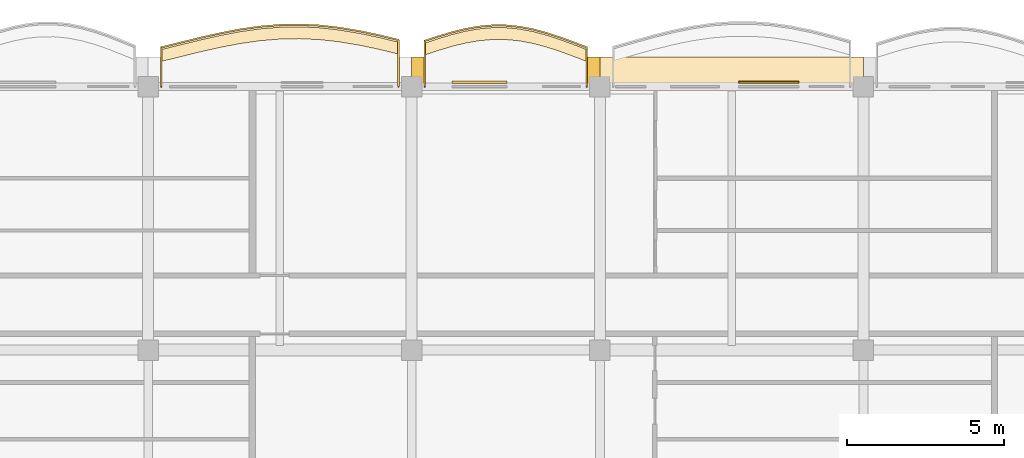
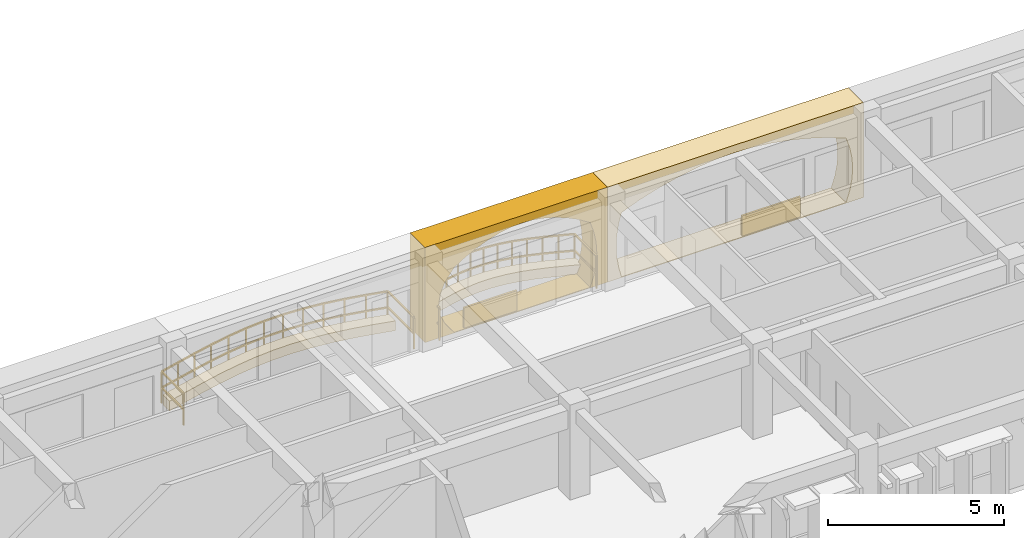
# One storey, part 87 of 101: 6 coverings, 2 railings.
"""IFC4 building model written with IfcOpenShell, lengths in metres."""

from ifc_helpers import new_model, si_unit, direction, frame, origin, origin_2d, place, context, subcontext, project, spatial, polyline, rectangle, outline, extrude, material, layer, layer_set, type_object, element, save


model = new_model("IFC4")

# Units and contexts
model_context = context("Model", 3, precision=1e-05, world=origin(), true_north=direction((0.0, 1.0)))
body_context = subcontext(model_context, "Body", "Model", "MODEL_VIEW")
ifc_project = project(units=[si_unit("LENGTHUNIT", "METRE"), si_unit("AREAUNIT", "SQUARE_METRE"), si_unit("VOLUMEUNIT", "CUBIC_METRE"), si_unit("PLANEANGLEUNIT", "RADIAN"), si_unit("MASSUNIT", "GRAM", prefix="KILO"), si_unit("THERMODYNAMICTEMPERATUREUNIT", "KELVIN")], contexts=[model_context])

# Site, building, storey
site_placement = place(None, origin())
site = spatial("IfcSite", under=ifc_project, at=site_placement, CompositionType="ELEMENT")
building_placement = place(site_placement, origin())
building = spatial("IfcBuilding", under=site, at=building_placement, Name="Thalorik Housing Commons", CompositionType="ELEMENT")
storey_placement = place(building_placement, frame((0.0, 0.0, 8.10009765625)))
storey = spatial("IfcBuildingStorey", under=building, at=storey_placement, Name="L02", CompositionType="ELEMENT", Elevation=8.10009765625)

# Coverings
ifc_material_1 = material(Name="Cobalt blue glazed ceramic facade tile panel", Category="masonry")
ifc_layer_1 = layer(ifc_material_1, 0.06005859375, Name="Cobalt blue glazed ceramic facade tile panel", Category="masonry")
ifc_layer_set_1 = layer_set([ifc_layer_1], Name="Cobalt blue glazed ceramic facade tile panel")
covering_type_1 = type_object("IfcCoveringType", Name="ARC-CLD-BLU-60", PredefinedType="CLADDING", material=ifc_layer_set_1)
covering_1_placement = place(storey_placement, frame((120.581787109375, 123.737548828125, 0.0498046875), z_axis=(0.0, 0.0, 1.0), x_axis=(-1.0, 0.0, 0.0)))
element("IfcCovering", 1, at=covering_1_placement, inside=storey, type_object=covering_type_1, Name="L02 De Stijl Recessed Window Spandrel 1669", PredefinedType="CLADDING", context=body_context, shape_type="SweptSolid", body=[
    extrude(rectangle(XDim=1.919921875, YDim=0.06005859375, at=origin_2d()), origin(), (0.0, 0.0, 1.0), 0.699951171875),
])
ifc_material_2 = material(Name="Precast concrete C40/50", Category="concrete")
ifc_layer_2 = layer(ifc_material_2, 0.85009765625, Name="Precast concrete C40/50", Category="concrete")
ifc_layer_set_2 = layer_set([ifc_layer_2], Name="Precast concrete C40/50")
covering_type_2 = type_object("IfcCoveringType", Name="ARC-CLD-CUSH-850", PredefinedType="CLADDING", material=ifc_layer_set_2)
covering_2_placement = place(storey_placement, frame((119.39990234375, 124.12744140625, 0.0), z_axis=(0.0, 0.0, 1.0), x_axis=(-1.0, 0.0, 0.0)))
element("IfcCovering", 2, at=covering_2_placement, inside=storey, type_object=covering_type_2, Name="L02 White Precast Curved Cushion Bay Frame 1668", PredefinedType="CLADDING", context=body_context, shape_type="SweptSolid", body=[
    extrude(outline(polyline([(-4.199951171875, 0.0), (4.199951171875, 0.0), (4.199951171875, 3.300048828125), (-4.199951171875, 3.300048828125), (-4.199951171875, 0.0)]), holes=[polyline([(3.74169921875, 0.02490234375), (3.83837890625, 0.3974609375), (3.896484375, 0.77001953125), (3.915771484375, 1.142578125), (3.896484375, 1.514892578125), (3.83837890625, 1.887451171875), (3.74169921875, 2.260009765625), (3.127197265625, 2.497314453125), (2.512939453125, 2.683837890625), (1.898681640625, 2.8349609375), (1.284423828125, 2.947265625), (0.670166015625, 3.0166015625), (0.055908203125, 3.0400390625), (-0.55859375, 3.0166015625), (-1.1728515625, 2.947265625), (-1.787109375, 2.8349609375), (-2.4013671875, 2.683837890625), (-3.015625, 2.497314453125), (-3.6298828125, 2.260009765625), (-3.750244140625, 1.887451171875), (-3.822509765625, 1.514892578125), (-3.8466796875, 1.142578125), (-3.822509765625, 0.77001953125), (-3.750244140625, 0.3974609375), (-3.6298828125, 0.02490234375), (3.74169921875, 0.02490234375)])]), frame((0.0, 0.425048828125, 0.0), z_axis=(0.0, -1.0, 0.0), x_axis=(1.0, 0.0, 0.0)), (0.0, 0.0, 1.0), 0.85009765625),
])
covering_3_placement = place(storey_placement, frame((112.199951171875, 124.12744140625, 0.0), z_axis=(0.0, 0.0, 1.0), x_axis=(-1.0, 0.0, 0.0)))
element("IfcCovering", 3, at=covering_3_placement, inside=storey, type_object=covering_type_2, Name="L02 White Precast Curved Cushion Bay Frame 1670", PredefinedType="CLADDING", context=body_context, shape_type="SweptSolid", body=[
    extrude(outline(polyline([(-3.0, 0.0), (3.0, 0.0), (3.0, 3.300048828125), (-3.0, 3.300048828125), (-3.0, 0.0)]), holes=[polyline([(2.0400390625, 0.02490234375), (2.3232421875, 0.399169921875), (2.493408203125, 0.773193359375), (2.550048828125, 1.1474609375), (2.493408203125, 1.521728515625), (2.3232421875, 1.895751953125), (2.0400390625, 2.27001953125), (1.66748046875, 2.50439453125), (1.294921875, 2.6884765625), (0.922607421875, 2.837646484375), (0.550048828125, 2.948486328125), (0.177490234375, 3.016845703125), (-0.195068359375, 3.0400390625), (-0.5673828125, 3.016845703125), (-0.93994140625, 2.948486328125), (-1.3125, 2.837646484375), (-1.68505859375, 2.6884765625), (-2.0576171875, 2.50439453125), (-2.429931640625, 2.27001953125), (-2.55029296875, 1.895751953125), (-2.62255859375, 1.521728515625), (-2.646484375, 1.1474609375), (-2.62255859375, 0.773193359375), (-2.55029296875, 0.399169921875), (-2.429931640625, 0.02490234375), (2.0400390625, 0.02490234375)])]), frame((0.0, 0.425048828125, 0.0), z_axis=(0.0, -1.0, 0.0), x_axis=(1.0, 0.0, 0.0)), (0.0, 0.0, 1.0), 0.85009765625),
])
ifc_material_3 = material(Name="Mineral ochre architectural terracotta panel", Category="masonry")
ifc_layer_3 = layer(ifc_material_3, 0.06494140625, Name="Mineral ochre architectural terracotta panel", Category="masonry")
ifc_layer_set_3 = layer_set([ifc_layer_3], Name="Mineral ochre architectural terracotta panel")
covering_type_3 = type_object("IfcCoveringType", Name="ARC-CLD-YEL-65", PredefinedType="CLADDING", material=ifc_layer_set_3)
covering_4_placement = place(storey_placement, frame((111.360107421875, 123.739990234375, 0.0498046875), z_axis=(0.0, 0.0, 1.0), x_axis=(-1.0, 0.0, 0.0)))
element("IfcCovering", 4, at=covering_4_placement, inside=storey, type_object=covering_type_3, Name="L02 De Stijl Recessed Window Spandrel 1671", PredefinedType="CLADDING", context=body_context, shape_type="SweptSolid", body=[
    extrude(rectangle(XDim=1.75, YDim=0.06494140625, at=origin_2d()), origin(), (0.0, 0.0, 1.0), 0.699951171875),
])
ifc_material_4 = material(Name="Planted vegetated substrate and terracotta trough", Category="masonry")
ifc_layer_4 = layer(ifc_material_4, 0.340087890625, Name="Planted vegetated substrate and terracotta trough", Category="masonry")
ifc_layer_set_4 = layer_set([ifc_layer_4], Name="Planted vegetated substrate and terracotta trough")
covering_type_4 = type_object("IfcCoveringType", Name="ARC-COV-PLANTER", PredefinedType="USERDEFINED", material=ifc_layer_set_4)
covering_5_placement = place(storey_placement, origin())
element("IfcCovering", 5, at=covering_5_placement, inside=storey, type_object=covering_type_4, Name="L02 Balcony Slab-Edge Planted Trough 5420", ObjectType="PLANTER", PredefinedType="USERDEFINED", context=body_context, shape_type="SweptSolid", body=[
    extrude(outline(polyline([(108.780029296875, 125.017822265625), (108.14990234375, 125.170166015625), (107.52001953125, 125.302978515625), (106.889892578125, 125.40771484375), (106.260009765625, 125.477294921875), (105.6298828125, 125.507080078125), (105.0, 125.49560546875), (104.3701171875, 125.443115234375), (103.739990234375, 125.35400390625), (103.110107421875, 125.234619140625), (102.47998046875, 125.0927734375), (101.85009765625, 124.938720703125), (101.219970703125, 124.78271484375), (101.219970703125, 124.402587890625), (101.85009765625, 124.55859375), (102.47998046875, 124.712890625), (103.110107421875, 124.8544921875), (103.739990234375, 124.97412109375), (104.3701171875, 125.063232421875), (105.0, 125.115478515625), (105.6298828125, 125.127197265625), (106.260009765625, 125.097412109375), (106.889892578125, 125.02783203125), (107.52001953125, 124.923095703125), (108.14990234375, 124.7900390625), (108.780029296875, 124.6376953125), (108.780029296875, 125.017822265625)])), origin(), (0.0, 0.0, 1.0), 0.33984375),
])
covering_6_placement = place(storey_placement, origin())
element("IfcCovering", 6, at=covering_6_placement, inside=storey, type_object=covering_type_4, Name="L02 Balcony Slab-Edge Planted Trough 5421", ObjectType="PLANTER", PredefinedType="USERDEFINED", context=body_context, shape_type="SweptSolid", body=[
    extrude(outline(polyline([(114.780029296875, 124.781982421875), (114.35009765625, 124.946533203125), (113.919921875, 125.10400390625), (113.489990234375, 125.244384765625), (113.06005859375, 125.358154296875), (112.6298828125, 125.4384765625), (112.199951171875, 125.480224609375), (111.77001953125, 125.481201171875), (111.340087890625, 125.4423828125), (110.909912109375, 125.366943359375), (110.47998046875, 125.260986328125), (110.050048828125, 125.1318359375), (109.6201171875, 124.989501953125), (109.6201171875, 124.609619140625), (110.050048828125, 124.751953125), (110.47998046875, 124.880859375), (110.909912109375, 124.987060546875), (111.340087890625, 125.0625), (111.77001953125, 125.101318359375), (112.199951171875, 125.10009765625), (112.6298828125, 125.058349609375), (113.06005859375, 124.978271484375), (113.489990234375, 124.864501953125), (113.919921875, 124.72412109375), (114.35009765625, 124.56640625), (114.780029296875, 124.402099609375), (114.780029296875, 124.781982421875)])), origin(), (0.0, 0.0, 1.0), 0.33984375),
])

# Railings
ifc_material_5 = material(Name="Steel S355", Category="steel")
railing_type_1 = type_object("IfcRailingType", Name="ARC-RL-BAL-112", PredefinedType="BALUSTRADE", material=ifc_material_5)
railing_1_placement = place(storey_placement, frame((108.780029296875, 123.60009765625, 0.0)))
element("IfcRailing", 7, at=railing_1_placement, inside=storey, type_object=railing_type_1, Name="L02 Cushion Balcony Guardrail 104", PredefinedType="BALUSTRADE", context=body_context, shape_type="SweptSolid", body=[
    extrude(rectangle(XDim=0.050048828125, YDim=0.050048828125, at=origin_2d()), frame((0.0, 0.0, 1.09521484375), z_axis=(0.0, 1.0, 0.0), x_axis=(-1.0, 0.0, 0.0)), (0.0, 0.0, 1.0), 1.48779296875),
    extrude(rectangle(XDim=0.050048828125, YDim=0.050048828125, at=origin_2d()), frame((0.0, 0.0, 0.53515625), z_axis=(0.0, 1.0, 0.0), x_axis=(-1.0, 0.0, 0.0)), (0.0, 0.0, 1.0), 1.48779296875),
    extrude(rectangle(XDim=0.050048828125, YDim=0.050048828125, at=origin_2d()), frame((0.0, 1.48779296875, 1.09521484375), z_axis=(-0.972082208573, 0.234640533104, 0.0), x_axis=(-0.234640533104, -0.972082208573, 0.0)), (0.0, 0.0, 1.0), 0.648193359375),
    extrude(rectangle(XDim=0.050048828125, YDim=0.050048828125, at=origin_2d()), frame((0.0, 1.48779296875, 0.53515625), z_axis=(-0.972082208573, 0.234640533104, 0.0), x_axis=(-0.234640533104, -0.972082208573, 0.0)), (0.0, 0.0, 1.0), 0.648193359375),
    extrude(rectangle(XDim=0.050048828125, YDim=0.050048828125, at=origin_2d()), frame((-0.630126953125, 1.639892578125, 1.09521484375), z_axis=(-0.978408728904, 0.206679363276, 0.0), x_axis=(-0.206679363276, -0.978408728904, 0.0)), (0.0, 0.0, 1.0), 0.643798828125),
    extrude(rectangle(XDim=0.050048828125, YDim=0.050048828125, at=origin_2d()), frame((-0.630126953125, 1.639892578125, 0.53515625), z_axis=(-0.978408728904, 0.206679363276, 0.0), x_axis=(-0.206679363276, -0.978408728904, 0.0)), (0.0, 0.0, 1.0), 0.643798828125),
    extrude(rectangle(XDim=0.050048828125, YDim=0.050048828125, at=origin_2d()), frame((-1.260009765625, 1.77294921875, 1.09521484375), z_axis=(-0.98646613711, 0.163965119264, 0.0), x_axis=(-0.163965119264, -0.98646613711, 0.0)), (0.0, 0.0, 1.0), 0.638671875),
    extrude(rectangle(XDim=0.050048828125, YDim=0.050048828125, at=origin_2d()), frame((-1.260009765625, 1.77294921875, 0.53515625), z_axis=(-0.98646613711, 0.163965119264, 0.0), x_axis=(-0.163965119264, -0.98646613711, 0.0)), (0.0, 0.0, 1.0), 0.638671875),
    extrude(rectangle(XDim=0.050048828125, YDim=0.050048828125, at=origin_2d()), frame((-1.89013671875, 1.877685546875, 1.09521484375), z_axis=(-0.993954005493, 0.109797244793, 0.0), x_axis=(-0.109797244793, -0.993954005493, 0.0)), (0.0, 0.0, 1.0), 0.6337890625),
    extrude(rectangle(XDim=0.050048828125, YDim=0.050048828125, at=origin_2d()), frame((-1.89013671875, 1.877685546875, 0.53515625), z_axis=(-0.993954005493, 0.109797244793, 0.0), x_axis=(-0.109797244793, -0.993954005493, 0.0)), (0.0, 0.0, 1.0), 0.6337890625),
    extrude(rectangle(XDim=0.050048828125, YDim=0.050048828125, at=origin_2d()), frame((-2.52001953125, 1.947265625, 1.09521484375), z_axis=(-0.998884713002, 0.047215782637, 0.0), x_axis=(-0.047215782637, -0.998884713002, 0.0)), (0.0, 0.0, 1.0), 0.630859375),
    extrude(rectangle(XDim=0.050048828125, YDim=0.050048828125, at=origin_2d()), frame((-2.52001953125, 1.947265625, 0.53515625), z_axis=(-0.998884713002, 0.047215782637, 0.0), x_axis=(-0.047215782637, -0.998884713002, 0.0)), (0.0, 0.0, 1.0), 0.630859375),
    extrude(rectangle(XDim=0.050048828125, YDim=0.050048828125, at=origin_2d()), frame((-3.150146484375, 1.97705078125, 1.09521484375), z_axis=(-0.999826978393, -0.018601432156, 0.0), x_axis=(0.018601432156, -0.999826978393, 0.0)), (0.0, 0.0, 1.0), 0.6298828125),
    extrude(rectangle(XDim=0.050048828125, YDim=0.050048828125, at=origin_2d()), frame((-3.150146484375, 1.97705078125, 0.53515625), z_axis=(-0.999826978393, -0.018601432156, 0.0), x_axis=(0.018601432156, -0.999826978393, 0.0)), (0.0, 0.0, 1.0), 0.6298828125),
    extrude(rectangle(XDim=0.050048828125, YDim=0.050048828125, at=origin_2d()), frame((-3.780029296875, 1.96533203125, 1.09521484375), z_axis=(-0.996577651619, -0.082661867227, 0.0), x_axis=(0.082661867227, -0.996577651619, 0.0)), (0.0, 0.0, 1.0), 0.632080078125),
    extrude(rectangle(XDim=0.050048828125, YDim=0.050048828125, at=origin_2d()), frame((-3.780029296875, 1.96533203125, 0.53515625), z_axis=(-0.996577651619, -0.082661867227, 0.0), x_axis=(0.082661867227, -0.996577651619, 0.0)), (0.0, 0.0, 1.0), 0.632080078125),
    extrude(rectangle(XDim=0.050048828125, YDim=0.050048828125, at=origin_2d()), frame((-4.409912109375, 1.9130859375, 1.09521484375), z_axis=(-0.990147996171, -0.140024803798, 0.0), x_axis=(0.140024803798, -0.990147996171, 0.0)), (0.0, 0.0, 1.0), 0.636474609375),
    extrude(rectangle(XDim=0.050048828125, YDim=0.050048828125, at=origin_2d()), frame((-4.409912109375, 1.9130859375, 0.53515625), z_axis=(-0.990147996171, -0.140024803798, 0.0), x_axis=(0.140024803798, -0.990147996171, 0.0)), (0.0, 0.0, 1.0), 0.636474609375),
    extrude(rectangle(XDim=0.050048828125, YDim=0.050048828125, at=origin_2d()), frame((-5.0400390625, 1.823974609375, 1.09521484375), z_axis=(-0.982508153778, -0.186219568681, 0.0), x_axis=(0.186219568681, -0.982508153778, 0.0)), (0.0, 0.0, 1.0), 0.64111328125),
    extrude(rectangle(XDim=0.050048828125, YDim=0.050048828125, at=origin_2d()), frame((-5.0400390625, 1.823974609375, 0.53515625), z_axis=(-0.982508153778, -0.186219568681, 0.0), x_axis=(0.186219568681, -0.982508153778, 0.0)), (0.0, 0.0, 1.0), 0.64111328125),
    extrude(rectangle(XDim=0.050048828125, YDim=0.050048828125, at=origin_2d()), frame((-5.669921875, 1.70458984375, 1.09521484375), z_axis=(-0.975587490028, -0.219611132006, 0.0), x_axis=(0.219611132006, -0.975587490028, 0.0)), (0.0, 0.0, 1.0), 0.64599609375),
    extrude(rectangle(XDim=0.050048828125, YDim=0.050048828125, at=origin_2d()), frame((-5.669921875, 1.70458984375, 0.53515625), z_axis=(-0.975587490028, -0.219611132006, 0.0), x_axis=(0.219611132006, -0.975587490028, 0.0)), (0.0, 0.0, 1.0), 0.64599609375),
    extrude(rectangle(XDim=0.050048828125, YDim=0.050048828125, at=origin_2d()), frame((-6.300048828125, 1.562744140625, 1.09521484375), z_axis=(-0.971370051234, -0.23757151253, 0.0), x_axis=(0.23757151253, -0.971370051234, 0.0)), (0.0, 0.0, 1.0), 0.6484375),
    extrude(rectangle(XDim=0.050048828125, YDim=0.050048828125, at=origin_2d()), frame((-6.300048828125, 1.562744140625, 0.53515625), z_axis=(-0.971370051234, -0.23757151253, 0.0), x_axis=(0.23757151253, -0.971370051234, 0.0)), (0.0, 0.0, 1.0), 0.6484375),
    extrude(rectangle(XDim=0.050048828125, YDim=0.050048828125, at=origin_2d()), frame((-6.929931640625, 1.40869140625, 1.09521484375), z_axis=(-0.970605262644, -0.240677012047, 0.0), x_axis=(0.240677012047, -0.970605262644, 0.0)), (0.0, 0.0, 1.0), 0.649169921875),
    extrude(rectangle(XDim=0.050048828125, YDim=0.050048828125, at=origin_2d()), frame((-6.929931640625, 1.40869140625, 0.53515625), z_axis=(-0.970605262644, -0.240677012047, 0.0), x_axis=(0.240677012047, -0.970605262644, 0.0)), (0.0, 0.0, 1.0), 0.649169921875),
    extrude(rectangle(XDim=0.050048828125, YDim=0.050048828125, at=origin_2d()), frame((-7.56005859375, 1.25244140625, 1.09521484375), z_axis=(0.0, -1.0, 0.0), x_axis=(1.0, 0.0, 0.0)), (0.0, 0.0, 1.0), 1.25244140625),
    extrude(rectangle(XDim=0.050048828125, YDim=0.050048828125, at=origin_2d()), frame((-7.56005859375, 1.25244140625, 0.53515625), z_axis=(0.0, -1.0, 0.0), x_axis=(1.0, 0.0, 0.0)), (0.0, 0.0, 1.0), 1.25244140625),
    extrude(rectangle(XDim=0.0419921875, YDim=0.0419921875, at=origin_2d()), origin(), (0.0, 0.0, 1.0), 1.070068359375),
    extrude(rectangle(XDim=0.0419921875, YDim=0.0419921875, at=origin_2d()), frame((0.0, 1.48779296875, 0.0)), (0.0, 0.0, 1.0), 1.070068359375),
    extrude(rectangle(XDim=0.0419921875, YDim=0.0419921875, at=origin_2d()), frame((-0.630126953125, 1.639892578125, 0.0)), (0.0, 0.0, 1.0), 1.070068359375),
    extrude(rectangle(XDim=0.0419921875, YDim=0.0419921875, at=origin_2d()), frame((-1.260009765625, 1.77294921875, 0.0)), (0.0, 0.0, 1.0), 1.070068359375),
    extrude(rectangle(XDim=0.0419921875, YDim=0.0419921875, at=origin_2d()), frame((-1.89013671875, 1.877685546875, 0.0)), (0.0, 0.0, 1.0), 1.070068359375),
    extrude(rectangle(XDim=0.0419921875, YDim=0.0419921875, at=origin_2d()), frame((-2.52001953125, 1.947265625, 0.0)), (0.0, 0.0, 1.0), 1.070068359375),
    extrude(rectangle(XDim=0.0419921875, YDim=0.0419921875, at=origin_2d()), frame((-3.150146484375, 1.97705078125, 0.0)), (0.0, 0.0, 1.0), 1.070068359375),
    extrude(rectangle(XDim=0.0419921875, YDim=0.0419921875, at=origin_2d()), frame((-3.780029296875, 1.96533203125, 0.0)), (0.0, 0.0, 1.0), 1.070068359375),
    extrude(rectangle(XDim=0.0419921875, YDim=0.0419921875, at=origin_2d()), frame((-4.409912109375, 1.9130859375, 0.0)), (0.0, 0.0, 1.0), 1.070068359375),
    extrude(rectangle(XDim=0.0419921875, YDim=0.0419921875, at=origin_2d()), frame((-5.0400390625, 1.823974609375, 0.0)), (0.0, 0.0, 1.0), 1.070068359375),
    extrude(rectangle(XDim=0.0419921875, YDim=0.0419921875, at=origin_2d()), frame((-5.669921875, 1.70458984375, 0.0)), (0.0, 0.0, 1.0), 1.070068359375),
    extrude(rectangle(XDim=0.0419921875, YDim=0.0419921875, at=origin_2d()), frame((-6.300048828125, 1.562744140625, 0.0)), (0.0, 0.0, 1.0), 1.070068359375),
    extrude(rectangle(XDim=0.0419921875, YDim=0.0419921875, at=origin_2d()), frame((-6.929931640625, 1.40869140625, 0.0)), (0.0, 0.0, 1.0), 1.070068359375),
    extrude(rectangle(XDim=0.0419921875, YDim=0.0419921875, at=origin_2d()), frame((-7.56005859375, 1.25244140625, 0.0)), (0.0, 0.0, 1.0), 1.070068359375),
    extrude(rectangle(XDim=0.0419921875, YDim=0.0419921875, at=origin_2d()), frame((-7.56005859375, 0.0, 0.0)), (0.0, 0.0, 1.0), 1.070068359375),
])
railing_type_2 = type_object("IfcRailingType", Name="ARC-RL-BAL-115", PredefinedType="BALUSTRADE", material=ifc_material_5)
railing_2_placement = place(storey_placement, frame((114.780029296875, 123.60009765625, 0.0)))
element("IfcRailing", 8, at=railing_2_placement, inside=storey, type_object=railing_type_2, Name="L02 Cushion Balcony Guardrail 105", PredefinedType="BALUSTRADE", context=body_context, shape_type="SweptSolid", body=[
    extrude(rectangle(XDim=0.050048828125, YDim=0.050048828125, at=origin_2d()), frame((0.0, 0.0, 1.125), z_axis=(0.0, 1.0, 0.0), x_axis=(-1.0, 0.0, 0.0)), (0.0, 0.0, 1.0), 1.251953125),
    extrude(rectangle(XDim=0.050048828125, YDim=0.050048828125, at=origin_2d()), frame((0.0, 0.0, 0.5498046875), z_axis=(0.0, 1.0, 0.0), x_axis=(-1.0, 0.0, 0.0)), (0.0, 0.0, 1.0), 1.251953125),
    extrude(rectangle(XDim=0.050048828125, YDim=0.050048828125, at=origin_2d()), frame((0.0, 1.251953125, 1.125), z_axis=(-0.933932105252, 0.357450448007, 0.0), x_axis=(-0.357450448007, -0.933932105252, 0.0)), (0.0, 0.0, 1.0), 0.46044921875),
    extrude(rectangle(XDim=0.050048828125, YDim=0.050048828125, at=origin_2d()), frame((0.0, 1.251953125, 0.5498046875), z_axis=(-0.933932105252, 0.357450448007, 0.0), x_axis=(-0.357450448007, -0.933932105252, 0.0)), (0.0, 0.0, 1.0), 0.46044921875),
    extrude(rectangle(XDim=0.050048828125, YDim=0.050048828125, at=origin_2d()), frame((-0.429931640625, 1.41650390625, 1.125), z_axis=(-0.939059922416, 0.343753490328, 0.0), x_axis=(-0.343753490328, -0.939059922416, 0.0)), (0.0, 0.0, 1.0), 0.4580078125),
    extrude(rectangle(XDim=0.050048828125, YDim=0.050048828125, at=origin_2d()), frame((-0.429931640625, 1.41650390625, 0.5498046875), z_axis=(-0.939059922416, 0.343753490328, 0.0), x_axis=(-0.343753490328, -0.939059922416, 0.0)), (0.0, 0.0, 1.0), 0.4580078125),
    extrude(rectangle(XDim=0.050048828125, YDim=0.050048828125, at=origin_2d()), frame((-0.860107421875, 1.573974609375, 1.125), z_axis=(-0.950608707094, 0.310391826564, 0.0), x_axis=(-0.310391826564, -0.950608707094, 0.0)), (0.0, 0.0, 1.0), 0.4521484375),
    extrude(rectangle(XDim=0.050048828125, YDim=0.050048828125, at=origin_2d()), frame((-0.860107421875, 1.573974609375, 0.5498046875), z_axis=(-0.950608707094, 0.310391826564, 0.0), x_axis=(-0.310391826564, -0.950608707094, 0.0)), (0.0, 0.0, 1.0), 0.4521484375),
    extrude(rectangle(XDim=0.050048828125, YDim=0.050048828125, at=origin_2d()), frame((-1.2900390625, 1.71435546875, 1.125), z_axis=(-0.966725195305, 0.25581711585, 0.0), x_axis=(-0.25581711585, -0.966725195305, 0.0)), (0.0, 0.0, 1.0), 0.44482421875),
    extrude(rectangle(XDim=0.050048828125, YDim=0.050048828125, at=origin_2d()), frame((-1.2900390625, 1.71435546875, 0.5498046875), z_axis=(-0.966725195305, 0.25581711585, 0.0), x_axis=(-0.25581711585, -0.966725195305, 0.0)), (0.0, 0.0, 1.0), 0.44482421875),
    extrude(rectangle(XDim=0.050048828125, YDim=0.050048828125, at=origin_2d()), frame((-1.719970703125, 1.828125, 1.125), z_axis=(-0.98311137791, 0.18300824742, 0.0), x_axis=(-0.18300824742, -0.98311137791, 0.0)), (0.0, 0.0, 1.0), 0.4375),
    extrude(rectangle(XDim=0.050048828125, YDim=0.050048828125, at=origin_2d()), frame((-1.719970703125, 1.828125, 0.5498046875), z_axis=(-0.98311137791, 0.18300824742, 0.0), x_axis=(-0.18300824742, -0.98311137791, 0.0)), (0.0, 0.0, 1.0), 0.4375),
    extrude(rectangle(XDim=0.050048828125, YDim=0.050048828125, at=origin_2d()), frame((-2.150146484375, 1.908203125, 1.125), z_axis=(-0.995263970634, 0.097209200993, 0.0), x_axis=(-0.097209200993, -0.995263970634, 0.0)), (0.0, 0.0, 1.0), 0.431884765625),
    extrude(rectangle(XDim=0.050048828125, YDim=0.050048828125, at=origin_2d()), frame((-2.150146484375, 1.908203125, 0.5498046875), z_axis=(-0.995263970634, 0.097209200993, 0.0), x_axis=(-0.097209200993, -0.995263970634, 0.0)), (0.0, 0.0, 1.0), 0.431884765625),
    extrude(rectangle(XDim=0.050048828125, YDim=0.050048828125, at=origin_2d()), frame((-2.580078125, 1.9501953125, 1.125), z_axis=(-0.999997420298, 0.002271430824, 0.0), x_axis=(-0.002271430824, -0.999997420298, 0.0)), (0.0, 0.0, 1.0), 0.429931640625),
    extrude(rectangle(XDim=0.050048828125, YDim=0.050048828125, at=origin_2d()), frame((-2.580078125, 1.9501953125, 0.5498046875), z_axis=(-0.999997420298, 0.002271430824, 0.0), x_axis=(-0.002271430824, -0.999997420298, 0.0)), (0.0, 0.0, 1.0), 0.429931640625),
    extrude(rectangle(XDim=0.050048828125, YDim=0.050048828125, at=origin_2d()), frame((-3.010009765625, 1.951171875, 1.125), z_axis=(-0.995948647187, -0.089923813119, 0.0), x_axis=(0.089923813119, -0.995948647187, 0.0)), (0.0, 0.0, 1.0), 0.431640625),
    extrude(rectangle(XDim=0.050048828125, YDim=0.050048828125, at=origin_2d()), frame((-3.010009765625, 1.951171875, 0.5498046875), z_axis=(-0.995948647187, -0.089923813119, 0.0), x_axis=(0.089923813119, -0.995948647187, 0.0)), (0.0, 0.0, 1.0), 0.431640625),
    extrude(rectangle(XDim=0.050048828125, YDim=0.050048828125, at=origin_2d()), frame((-3.43994140625, 1.912353515625, 1.125), z_axis=(-0.984968706606, -0.172732877606, 0.0), x_axis=(0.172732877606, -0.984968706606, 0.0)), (0.0, 0.0, 1.0), 0.436767578125),
    extrude(rectangle(XDim=0.050048828125, YDim=0.050048828125, at=origin_2d()), frame((-3.43994140625, 1.912353515625, 0.5498046875), z_axis=(-0.984968706606, -0.172732877606, 0.0), x_axis=(0.172732877606, -0.984968706606, 0.0)), (0.0, 0.0, 1.0), 0.436767578125),
    extrude(rectangle(XDim=0.050048828125, YDim=0.050048828125, at=origin_2d()), frame((-3.8701171875, 1.8369140625, 1.125), z_axis=(-0.970819679707, -0.23981065342, 0.0), x_axis=(0.23981065342, -0.970819679707, 0.0)), (0.0, 0.0, 1.0), 0.44287109375),
    extrude(rectangle(XDim=0.050048828125, YDim=0.050048828125, at=origin_2d()), frame((-3.8701171875, 1.8369140625, 0.5498046875), z_axis=(-0.970819679707, -0.23981065342, 0.0), x_axis=(0.23981065342, -0.970819679707, 0.0)), (0.0, 0.0, 1.0), 0.44287109375),
    extrude(rectangle(XDim=0.050048828125, YDim=0.050048828125, at=origin_2d()), frame((-4.300048828125, 1.730712890625, 1.125), z_axis=(-0.957871185663, -0.287198174918, 0.0), x_axis=(0.287198174918, -0.957871185663, 0.0)), (0.0, 0.0, 1.0), 0.44873046875),
    extrude(rectangle(XDim=0.050048828125, YDim=0.050048828125, at=origin_2d()), frame((-4.300048828125, 1.730712890625, 0.5498046875), z_axis=(-0.957871185663, -0.287198174918, 0.0), x_axis=(0.287198174918, -0.957871185663, 0.0)), (0.0, 0.0, 1.0), 0.44873046875),
    extrude(rectangle(XDim=0.050048828125, YDim=0.050048828125, at=origin_2d()), frame((-4.72998046875, 1.601806640625, 1.125), z_axis=(-0.949328214695, -0.3142863993, 0.0), x_axis=(0.3142863993, -0.949328214695, 0.0)), (0.0, 0.0, 1.0), 0.452880859375),
    extrude(rectangle(XDim=0.050048828125, YDim=0.050048828125, at=origin_2d()), frame((-4.72998046875, 1.601806640625, 0.5498046875), z_axis=(-0.949328214695, -0.3142863993, 0.0), x_axis=(0.3142863993, -0.949328214695, 0.0)), (0.0, 0.0, 1.0), 0.452880859375),
    extrude(rectangle(XDim=0.050048828125, YDim=0.050048828125, at=origin_2d()), frame((-5.159912109375, 1.45947265625, 1.125), z_axis=(0.0, -1.0, 0.0), x_axis=(1.0, 0.0, 0.0)), (0.0, 0.0, 1.0), 1.45947265625),
    extrude(rectangle(XDim=0.050048828125, YDim=0.050048828125, at=origin_2d()), frame((-5.159912109375, 1.45947265625, 0.5498046875), z_axis=(0.0, -1.0, 0.0), x_axis=(1.0, 0.0, 0.0)), (0.0, 0.0, 1.0), 1.45947265625),
    extrude(rectangle(XDim=0.0419921875, YDim=0.0419921875, at=origin_2d()), origin(), (0.0, 0.0, 1.0), 1.099853515625),
    extrude(rectangle(XDim=0.0419921875, YDim=0.0419921875, at=origin_2d()), frame((0.0, 1.251953125, 0.0)), (0.0, 0.0, 1.0), 1.099853515625),
    extrude(rectangle(XDim=0.0419921875, YDim=0.0419921875, at=origin_2d()), frame((-0.429931640625, 1.41650390625, 0.0)), (0.0, 0.0, 1.0), 1.099853515625),
    extrude(rectangle(XDim=0.0419921875, YDim=0.0419921875, at=origin_2d()), frame((-0.860107421875, 1.573974609375, 0.0)), (0.0, 0.0, 1.0), 1.099853515625),
    extrude(rectangle(XDim=0.0419921875, YDim=0.0419921875, at=origin_2d()), frame((-1.2900390625, 1.71435546875, 0.0)), (0.0, 0.0, 1.0), 1.099853515625),
    extrude(rectangle(XDim=0.0419921875, YDim=0.0419921875, at=origin_2d()), frame((-1.719970703125, 1.828125, 0.0)), (0.0, 0.0, 1.0), 1.099853515625),
    extrude(rectangle(XDim=0.0419921875, YDim=0.0419921875, at=origin_2d()), frame((-2.150146484375, 1.908203125, 0.0)), (0.0, 0.0, 1.0), 1.099853515625),
    extrude(rectangle(XDim=0.0419921875, YDim=0.0419921875, at=origin_2d()), frame((-2.580078125, 1.9501953125, 0.0)), (0.0, 0.0, 1.0), 1.099853515625),
    extrude(rectangle(XDim=0.0419921875, YDim=0.0419921875, at=origin_2d()), frame((-3.010009765625, 1.951171875, 0.0)), (0.0, 0.0, 1.0), 1.099853515625),
    extrude(rectangle(XDim=0.0419921875, YDim=0.0419921875, at=origin_2d()), frame((-3.43994140625, 1.912353515625, 0.0)), (0.0, 0.0, 1.0), 1.099853515625),
    extrude(rectangle(XDim=0.0419921875, YDim=0.0419921875, at=origin_2d()), frame((-3.8701171875, 1.8369140625, 0.0)), (0.0, 0.0, 1.0), 1.099853515625),
    extrude(rectangle(XDim=0.0419921875, YDim=0.0419921875, at=origin_2d()), frame((-4.300048828125, 1.730712890625, 0.0)), (0.0, 0.0, 1.0), 1.099853515625),
    extrude(rectangle(XDim=0.0419921875, YDim=0.0419921875, at=origin_2d()), frame((-4.72998046875, 1.601806640625, 0.0)), (0.0, 0.0, 1.0), 1.099853515625),
    extrude(rectangle(XDim=0.0419921875, YDim=0.0419921875, at=origin_2d()), frame((-5.159912109375, 1.45947265625, 0.0)), (0.0, 0.0, 1.0), 1.099853515625),
    extrude(rectangle(XDim=0.0419921875, YDim=0.0419921875, at=origin_2d()), frame((-5.159912109375, 0.0, 0.0)), (0.0, 0.0, 1.0), 1.099853515625),
])

save(model, "model.ifc")
